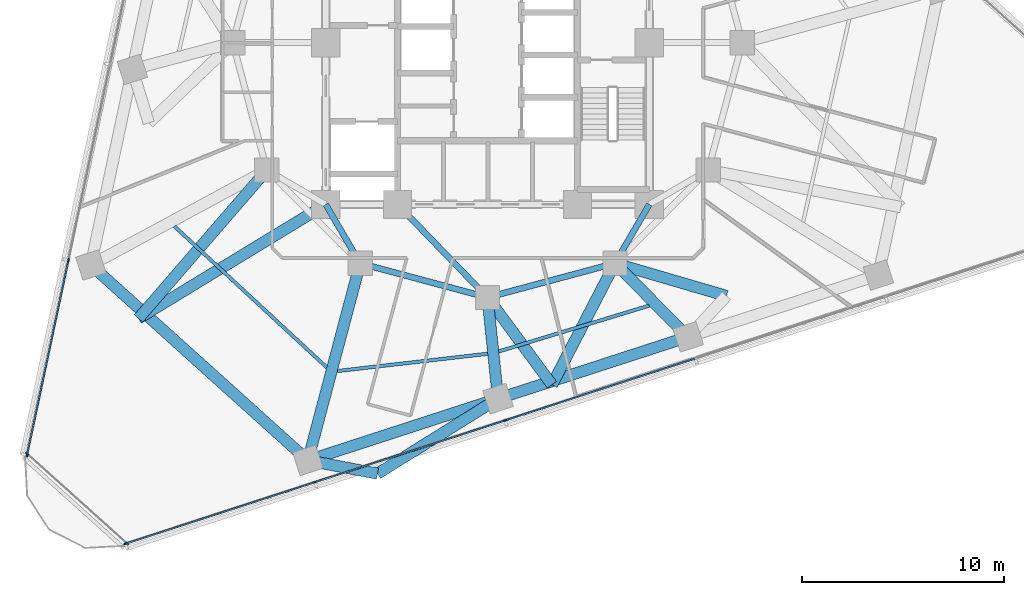
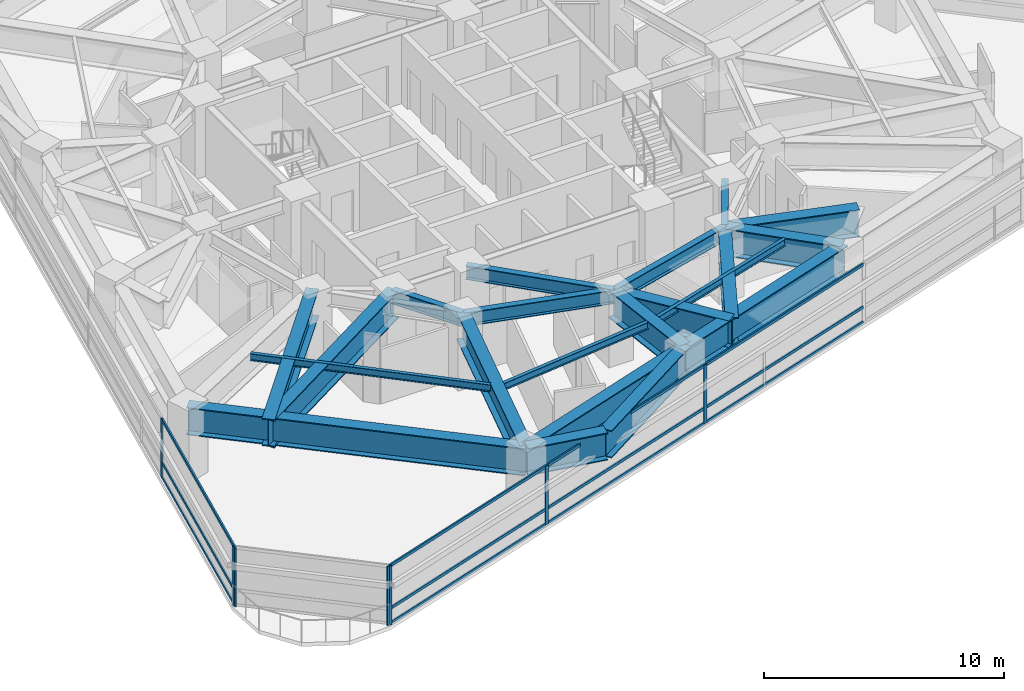
# One storey, part 2 of 14: 21 beams, 19 members, 3 elements without a shape of their own.
"""IFC4 building model written with IfcOpenShell, lengths in metres."""

from ifc_helpers import new_model, si_unit, direction, frame, origin, origin_2d, place, context, subcontext, project, spatial, rectangle, i_section, extrude, material, layer, layer_set, material_profile, profile_set, type_object, element, aggregate, save


model = new_model("IFC4")

# Units and contexts
model_context = context("Model", 3, precision=1e-05, world=origin(), true_north=direction((0.0, 1.0)))
body_context = subcontext(model_context, "Body", "Model", "MODEL_VIEW")
ifc_project = project(units=[si_unit("LENGTHUNIT", "METRE"), si_unit("AREAUNIT", "SQUARE_METRE"), si_unit("VOLUMEUNIT", "CUBIC_METRE"), si_unit("PLANEANGLEUNIT", "RADIAN"), si_unit("MASSUNIT", "GRAM", prefix="KILO")], contexts=[model_context])

# Site, building, storey
site_placement = place(None, origin())
site = spatial("IfcSite", under=ifc_project, at=site_placement, CompositionType="ELEMENT")
building_placement = place(site_placement, origin())
building = spatial("IfcBuilding", under=site, at=building_placement, Name="Terralouvre Media Tower", CompositionType="ELEMENT")
storey_placement = place(building_placement, frame((0.0, 0.0, 116.199951171875)))
storey = spatial("IfcBuildingStorey", under=building, at=storey_placement, Name="L29", CompositionType="ELEMENT", Elevation=116.199951171875)

# Beams
ifc_material_1 = material(Name="Structural steel S355J2", Category="steel")
ifc_material_profile_1 = material_profile(ifc_material_1, i_section(OverallWidth=0.169921875, OverallDepth=0.360107421875, WebThickness=0.008056640625, FlangeThickness=0.0126953125, at=origin_2d()), Name="IPE 360")
ifc_profile_set_1 = profile_set([ifc_material_profile_1], Name="Structural steel S355J2")
beam_type_1 = type_object("IfcBeamType", Name="Composite Floor Joist J-IPE360 (IPE 360)", PredefinedType="JOIST", material=ifc_profile_set_1)
beam_1_placement = place(storey_placement, frame((-15.48388671875, -9.081298828125, 3.320068359375), z_axis=(0.7336263107, -0.679553115104, 0.0), x_axis=(0.679553115104, 0.7336263107, 0.0)))
element("IfcBeam", 1, at=beam_1_placement, inside=storey, type_object=beam_type_1, Name="L29 Framing Beam JT-L29-02", PredefinedType="JOIST", context=body_context, shape_type="SweptSolid", body=[
    extrude(i_section(OverallWidth=0.169921875, OverallDepth=0.360107421875, WebThickness=0.008056640625, FlangeThickness=0.0126953125, at=origin_2d()), origin(), (0.0, 0.0, 1.0), 10.26708984375),
])
beam_2_placement = place(storey_placement, frame((-7.423828125, -16.23828125, 3.320068359375), z_axis=(0.993451447392, 0.114255072866, 0.0), x_axis=(-0.114255072866, 0.993451447392, 0.0)))
element("IfcBeam", 2, at=beam_2_placement, inside=storey, type_object=beam_type_1, Name="L29 Framing Beam JT-L29-03", PredefinedType="JOIST", context=body_context, shape_type="SweptSolid", body=[
    extrude(i_section(OverallWidth=0.169921875, OverallDepth=0.360107421875, WebThickness=0.008056640625, FlangeThickness=0.0126953125, at=origin_2d()), origin(), (0.0, 0.0, 1.0), 7.483154296875),
])
beam_3_placement = place(storey_placement, frame((0.5576171875, -15.268798828125, 3.320068359375), z_axis=(0.956571489727, 0.291497830252, 0.0), x_axis=(-0.291497830252, 0.956571489727, 0.0)))
element("IfcBeam", 3, at=beam_3_placement, inside=storey, type_object=beam_type_1, Name="L29 Framing Beam JT-L29-04", PredefinedType="JOIST", context=body_context, shape_type="SweptSolid", body=[
    extrude(i_section(OverallWidth=0.169921875, OverallDepth=0.360107421875, WebThickness=0.008056640625, FlangeThickness=0.0126953125, at=origin_2d()), origin(), (0.0, 0.0, 1.0), 7.7724609375),
])

# Curtain wall, members
ifc_material_2 = material(Name="Low-iron laminated double glazing with solar-control coating", Category="glass")
ifc_layer_1 = layer(ifc_material_2, 0.1650390625, Name="Lower Media Tower Unitised Curtain Wall CW-02")
ifc_layer_set_1 = layer_set([ifc_layer_1], Name="Low-iron laminated double glazing with solar-control coating")
curtain_wall_type_1 = type_object("IfcCurtainWallType", Name="Lower Media Tower Unitised Curtain Wall CW-02", PredefinedType="NOTDEFINED", material=ifc_layer_set_1)
curtain_wall_1_placement = place(storey_placement, origin())
curtain_wall_1 = element("IfcCurtainWall", 4, at=curtain_wall_1_placement, inside=storey, type_object=curtain_wall_type_1, Name="L29 Facade Curtain Wall F0", PredefinedType="NOTDEFINED")
ifc_material_3 = material(Name="Anodised extruded aluminium 6063-T6", Category="aluminium")
ifc_material_profile_2 = material_profile(ifc_material_3, rectangle(XDim=0.074951171875, YDim=0.14990234375, at=origin_2d()), Name="ALU 75x150")
ifc_profile_set_2 = profile_set([ifc_material_profile_2], Name="Anodised extruded aluminium 6063-T6")
member_type_1 = type_object("IfcMemberType", Name="Curtain-Wall Horizontal Transom TR-150", PredefinedType="USERDEFINED", material=ifc_profile_set_2)
member_1_placement = place(storey_placement, frame((-17.866455078125, -24.765380859375, 0.03759765625), z_axis=(0.951048750541, 0.309040893886, 0.0), x_axis=(-0.309040893886, 0.951048750541, 0.0)))
member_1 = element("IfcMember", 5, at=member_1_placement, type_object=member_type_1, Name="CW-02 transom 1.1", ObjectType="TRANSOM", PredefinedType="USERDEFINED", context=body_context, shape_type="SweptSolid", body=[
    extrude(rectangle(XDim=0.074951171875, YDim=0.14990234375, at=origin_2d()), origin(), (0.0, 0.0, 1.0), 9.775390625),
])
member_2_placement = place(storey_placement, frame((-17.866455078125, -24.765380859375, 0.800048828125), z_axis=(0.951048750541, 0.309040893886, 0.0), x_axis=(-0.309040893886, 0.951048750541, 0.0)))
member_2 = element("IfcMember", 6, at=member_2_placement, type_object=member_type_1, Name="CW-02 transom 1.2", ObjectType="TRANSOM", PredefinedType="USERDEFINED", context=body_context, shape_type="SweptSolid", body=[
    extrude(rectangle(XDim=0.074951171875, YDim=0.14990234375, at=origin_2d()), origin(), (0.0, 0.0, 1.0), 9.775390625),
])
member_3_placement = place(storey_placement, frame((-17.866455078125, -24.765380859375, 2.962646484375), z_axis=(0.951048750541, 0.309040893886, 0.0), x_axis=(-0.309040893886, 0.951048750541, 0.0)))
member_3 = element("IfcMember", 7, at=member_3_placement, type_object=member_type_1, Name="CW-02 transom 1.3", ObjectType="TRANSOM", PredefinedType="USERDEFINED", context=body_context, shape_type="SweptSolid", body=[
    extrude(rectangle(XDim=0.074951171875, YDim=0.14990234375, at=origin_2d()), origin(), (0.0, 0.0, 1.0), 9.775390625),
])
member_4_placement = place(storey_placement, frame((-8.498291015625, -21.72119140625, 0.03759765625), z_axis=(0.951061672682, 0.309001124198, 0.0), x_axis=(-0.309001124198, 0.951061672682, 0.0)))
member_4 = element("IfcMember", 8, at=member_4_placement, type_object=member_type_1, Name="CW-02 transom 2.1", ObjectType="TRANSOM", PredefinedType="USERDEFINED", context=body_context, shape_type="SweptSolid", body=[
    extrude(rectangle(XDim=0.074951171875, YDim=0.14990234375, at=origin_2d()), origin(), (0.0, 0.0, 1.0), 9.81298828125),
])
member_5_placement = place(storey_placement, frame((-8.498291015625, -21.72119140625, 0.800048828125), z_axis=(0.951061672682, 0.309001124198, 0.0), x_axis=(-0.309001124198, 0.951061672682, 0.0)))
member_5 = element("IfcMember", 9, at=member_5_placement, type_object=member_type_1, Name="CW-02 transom 2.2", ObjectType="TRANSOM", PredefinedType="USERDEFINED", context=body_context, shape_type="SweptSolid", body=[
    extrude(rectangle(XDim=0.074951171875, YDim=0.14990234375, at=origin_2d()), origin(), (0.0, 0.0, 1.0), 9.81298828125),
])
member_6_placement = place(storey_placement, frame((-8.498291015625, -21.72119140625, 2.962646484375), z_axis=(0.951061672682, 0.309001124198, 0.0), x_axis=(-0.309001124198, 0.951061672682, 0.0)))
member_6 = element("IfcMember", 10, at=member_6_placement, type_object=member_type_1, Name="CW-02 transom 2.3", ObjectType="TRANSOM", PredefinedType="USERDEFINED", context=body_context, shape_type="SweptSolid", body=[
    extrude(rectangle(XDim=0.074951171875, YDim=0.14990234375, at=origin_2d()), origin(), (0.0, 0.0, 1.0), 9.81298828125),
])
member_7_placement = place(storey_placement, frame((0.90576171875, -18.665771484375, 0.03759765625), z_axis=(0.95105436096, 0.309023627736, 0.0), x_axis=(-0.309023627736, 0.95105436096, 0.0)))
member_7 = element("IfcMember", 11, at=member_7_placement, type_object=member_type_1, Name="CW-02 transom 3.1", ObjectType="TRANSOM", PredefinedType="USERDEFINED", context=body_context, shape_type="SweptSolid", body=[
    extrude(rectangle(XDim=0.074951171875, YDim=0.14990234375, at=origin_2d()), origin(), (0.0, 0.0, 1.0), 9.81298828125),
])
member_8_placement = place(storey_placement, frame((0.90576171875, -18.665771484375, 0.800048828125), z_axis=(0.95105436096, 0.309023627736, 0.0), x_axis=(-0.309023627736, 0.95105436096, 0.0)))
member_8 = element("IfcMember", 12, at=member_8_placement, type_object=member_type_1, Name="CW-02 transom 3.2", ObjectType="TRANSOM", PredefinedType="USERDEFINED", context=body_context, shape_type="SweptSolid", body=[
    extrude(rectangle(XDim=0.074951171875, YDim=0.14990234375, at=origin_2d()), origin(), (0.0, 0.0, 1.0), 9.81298828125),
])
member_9_placement = place(storey_placement, frame((0.90576171875, -18.665771484375, 2.962646484375), z_axis=(0.95105436096, 0.309023627736, 0.0), x_axis=(-0.309023627736, 0.95105436096, 0.0)))
member_9 = element("IfcMember", 13, at=member_9_placement, type_object=member_type_1, Name="CW-02 transom 3.3", ObjectType="TRANSOM", PredefinedType="USERDEFINED", context=body_context, shape_type="SweptSolid", body=[
    extrude(rectangle(XDim=0.074951171875, YDim=0.14990234375, at=origin_2d()), origin(), (0.0, 0.0, 1.0), 9.81298828125),
])

curtain_wall_2_placement = place(storey_placement, origin())
curtain_wall_2 = element("IfcCurtainWall", 14, at=curtain_wall_2_placement, inside=storey, type_object=curtain_wall_type_1, Name="L29 Facade Curtain Wall F2", PredefinedType="NOTDEFINED")
member_10_placement = place(storey_placement, frame((-20.7294921875, -10.79541015625, 0.03759765625), z_axis=(-0.207911922732, -0.978147551439, 0.0), x_axis=(0.978147551439, -0.207911922732, 0.0)))
member_10 = element("IfcMember", 15, at=member_10_placement, type_object=member_type_1, Name="CW-02 transom 5.1", ObjectType="TRANSOM", PredefinedType="USERDEFINED", context=body_context, shape_type="SweptSolid", body=[
    extrude(rectangle(XDim=0.074951171875, YDim=0.14990234375, at=origin_2d()), origin(), (0.0, 0.0, 1.0), 9.775634765625),
])
member_11_placement = place(storey_placement, frame((-20.7294921875, -10.79541015625, 0.800048828125), z_axis=(-0.207911922732, -0.978147551439, 0.0), x_axis=(0.978147551439, -0.207911922732, 0.0)))
member_11 = element("IfcMember", 16, at=member_11_placement, type_object=member_type_1, Name="CW-02 transom 5.2", ObjectType="TRANSOM", PredefinedType="USERDEFINED", context=body_context, shape_type="SweptSolid", body=[
    extrude(rectangle(XDim=0.074951171875, YDim=0.14990234375, at=origin_2d()), origin(), (0.0, 0.0, 1.0), 9.775634765625),
])
member_12_placement = place(storey_placement, frame((-20.7294921875, -10.79541015625, 2.962646484375), z_axis=(-0.207911922732, -0.978147551439, 0.0), x_axis=(0.978147551439, -0.207911922732, 0.0)))
member_12 = element("IfcMember", 17, at=member_12_placement, type_object=member_type_1, Name="CW-02 transom 5.3", ObjectType="TRANSOM", PredefinedType="USERDEFINED", context=body_context, shape_type="SweptSolid", body=[
    extrude(rectangle(XDim=0.074951171875, YDim=0.14990234375, at=origin_2d()), origin(), (0.0, 0.0, 1.0), 9.775634765625),
])

# Member
ifc_material_4 = material(Name="Anodised extruded aluminium 6063-T6", Category="aluminium")
ifc_material_profile_3 = material_profile(ifc_material_4, rectangle(XDim=0.074951171875, YDim=0.179931640625, at=origin_2d()), Name="ALU 75x180")
ifc_profile_set_3 = profile_set([ifc_material_profile_3], Name="Anodised extruded aluminium 6063-T6")
member_type_2 = type_object("IfcMemberType", Name="Curtain-Wall Vertical Mullion ML-180", PredefinedType="MULLION", material=ifc_profile_set_3)
member_13_placement = place(storey_placement, frame((-17.90234375, -24.77685546875, 0.0), z_axis=(0.0, 0.0, 1.0), x_axis=(-0.309017015439, 0.951056509451, 0.0)))
member_13 = element("IfcMember", 18, at=member_13_placement, type_object=member_type_2, Name="CW-02 mullion 1", PredefinedType="MULLION", context=body_context, shape_type="SweptSolid", body=[
    extrude(rectangle(XDim=0.074951171875, YDim=0.179931640625, at=origin_2d()), origin(), (0.0, 0.0, 1.0), 3.0),
])

member_14_placement = place(storey_placement, frame((-8.533935546875, -21.73291015625, 0.0), z_axis=(0.0, 0.0, 1.0), x_axis=(-0.309017015439, 0.951056509451, 0.0)))
member_14 = element("IfcMember", 19, at=member_14_placement, type_object=member_type_2, Name="CW-02 mullion 2", PredefinedType="MULLION", context=body_context, shape_type="SweptSolid", body=[
    extrude(rectangle(XDim=0.074951171875, YDim=0.179931640625, at=origin_2d()), origin(), (0.0, 0.0, 1.0), 3.0),
])

member_15_placement = place(storey_placement, frame((0.8701171875, -18.67724609375, 0.0), z_axis=(0.0, 0.0, 1.0), x_axis=(-0.309017015439, 0.951056509451, 0.0)))
member_15 = element("IfcMember", 20, at=member_15_placement, type_object=member_type_2, Name="CW-02 mullion 3", PredefinedType="MULLION", context=body_context, shape_type="SweptSolid", body=[
    extrude(rectangle(XDim=0.074951171875, YDim=0.179931640625, at=origin_2d()), origin(), (0.0, 0.0, 1.0), 3.0),
])

aggregate(curtain_wall_1, [member_13, member_14, member_15, member_1, member_2, member_3, member_4, member_5, member_6, member_7, member_8, member_9])

member_16_placement = place(storey_placement, frame((-20.7216796875, -10.7587890625, 0.0), z_axis=(0.0, 0.0, 1.0), x_axis=(0.978147610709, -0.207911643887, 0.0)))
member_16 = element("IfcMember", 21, at=member_16_placement, type_object=member_type_2, Name="CW-02 mullion 5", PredefinedType="MULLION", context=body_context, shape_type="SweptSolid", body=[
    extrude(rectangle(XDim=0.074951171875, YDim=0.179931640625, at=origin_2d()), origin(), (0.0, 0.0, 1.0), 3.0),
])

member_17_placement = place(storey_placement, frame((-22.769775390625, -20.39404296875, 0.0), z_axis=(0.0, 0.0, 1.0), x_axis=(0.978147610709, -0.207911643887, 0.0)))
member_17 = element("IfcMember", 22, at=member_17_placement, type_object=member_type_2, Name="CW-02 mullion 6", PredefinedType="MULLION", context=body_context, shape_type="SweptSolid", body=[
    extrude(rectangle(XDim=0.074951171875, YDim=0.179931640625, at=origin_2d()), origin(), (0.0, 0.0, 1.0), 3.0),
])

aggregate(curtain_wall_2, [member_16, member_17, member_10, member_11, member_12])

# Curtain wall, members
ifc_material_5 = material(Name="Low-iron laminated double glazing with solar-control coating", Category="glass")
ifc_layer_2 = layer(ifc_material_5, 0.1650390625, Name="Rounded Wind-Corner Curved Glazing CW-04")
ifc_layer_set_2 = layer_set([ifc_layer_2], Name="Low-iron laminated double glazing with solar-control coating")
curtain_wall_type_2 = type_object("IfcCurtainWallType", Name="Rounded Wind-Corner Curved Glazing CW-04", PredefinedType="NOTDEFINED", material=ifc_layer_set_2)
curtain_wall_3_placement = place(storey_placement, origin())
curtain_wall_3 = element("IfcCurtainWall", 23, at=curtain_wall_3_placement, inside=storey, type_object=curtain_wall_type_2, Name="L29 Rounded Wind-Corner Curtain Wall C0", PredefinedType="NOTDEFINED")
member_18_placement = place(storey_placement, frame((-22.7734375, -20.326904296875, 0.0), z_axis=(0.0, 0.0, 1.0), x_axis=(0.669130780732, 0.743144668471, 0.0)))
member_18 = element("IfcMember", 24, at=member_18_placement, type_object=member_type_2, Name="CW-04 mullion 1", PredefinedType="MULLION", context=body_context, shape_type="SweptSolid", body=[
    extrude(rectangle(XDim=0.074951171875, YDim=0.179931640625, at=origin_2d()), origin(), (0.0, 0.0, 1.0), 3.0),
])
member_19_placement = place(storey_placement, frame((-17.8349609375, -24.7734375, 0.0), z_axis=(0.0, 0.0, 1.0), x_axis=(0.669130780732, 0.743144668471, 0.0)))
member_19 = element("IfcMember", 25, at=member_19_placement, type_object=member_type_2, Name="CW-04 mullion 2", PredefinedType="MULLION", context=body_context, shape_type="SweptSolid", body=[
    extrude(rectangle(XDim=0.074951171875, YDim=0.179931640625, at=origin_2d()), origin(), (0.0, 0.0, 1.0), 3.0),
])
aggregate(curtain_wall_3, [member_18, member_19])

# Beams
ifc_material_6 = material(Name="Structural steel S460M", Category="steel")
ifc_material_profile_4 = material_profile(ifc_material_6, i_section(OverallWidth=0.300048828125, OverallDepth=0.699951171875, WebThickness=0.01708984375, FlangeThickness=0.031982421875, at=origin_2d()), Name="HEB 700")
ifc_profile_set_4 = profile_set([ifc_material_profile_4], Name="Structural steel S460M")
beam_type_2 = type_object("IfcBeamType", Name="Primary Floor Girder B-HEB700 (HEB 700)", PredefinedType="BEAM", material=ifc_profile_set_4)
for number, where, z_axis, x_axis, name in (
    (26, (-6.300048828125, -10.911865234375, 3.150146484375), (0.965920481897, -0.258838989821, 0.0), (0.258838989821, 0.965920481897, 0.0), "L29 Framing Beam BM-L29-MR02"),
    (27, (0.0, -12.60009765625, 3.150146484375), (0.965920481897, 0.258838989821, 0.0), (-0.258838989821, 0.965920481897, 0.0), "L29 Framing Beam BM-L29-MR03"),
):
    element("IfcBeam", number, at=place(storey_placement, frame(where, z_axis=z_axis, x_axis=x_axis)), inside=storey, type_object=beam_type_2, Name=name, PredefinedType="BEAM", context=body_context, shape_type="SweptSolid", body=[
        extrude(i_section(OverallWidth=0.300048828125, OverallDepth=0.699951171875, WebThickness=0.01708984375, FlangeThickness=0.031982421875, at=origin_2d()), origin(), (0.0, 0.0, 1.0), 6.522216796875),
    ])
beam_4_placement = place(storey_placement, frame((-8.0, -8.0, 3.150146484375), z_axis=(0.504172629717, -0.863602894532, 0.0), x_axis=(0.863602894532, 0.504172629717, 0.0)))
element("IfcBeam", 28, at=beam_4_placement, inside=storey, type_object=beam_type_2, Name="L29 Framing Beam BM-L29-CM02", PredefinedType="BEAM", context=body_context, shape_type="SweptSolid", body=[
    extrude(i_section(OverallWidth=0.300048828125, OverallDepth=0.699951171875, WebThickness=0.01708984375, FlangeThickness=0.031982421875, at=origin_2d()), origin(), (0.0, 0.0, 1.0), 3.371826171875),
])
beam_5_placement = place(storey_placement, frame((-4.449951171875, -8.0, 3.150146484375), z_axis=(0.695279715726, -0.718739255155, 0.0), x_axis=(0.718739255155, 0.695279715726, 0.0)))
element("IfcBeam", 29, at=beam_5_placement, inside=storey, type_object=beam_type_2, Name="L29 Framing Beam BM-L29-CM03", PredefinedType="BEAM", context=body_context, shape_type="SweptSolid", body=[
    extrude(i_section(OverallWidth=0.300048828125, OverallDepth=0.699951171875, WebThickness=0.01708984375, FlangeThickness=0.031982421875, at=origin_2d()), origin(), (0.0, 0.0, 1.0), 6.400146484375),
])
beam_6_placement = place(storey_placement, frame((8.0, -8.0, 3.150146484375), z_axis=(-0.504172629717, -0.863602894532, 0.0), x_axis=(0.863602894532, -0.504172629717, 0.0)))
element("IfcBeam", 30, at=beam_6_placement, inside=storey, type_object=beam_type_2, Name="L29 Framing Beam BM-L29-CM04", PredefinedType="BEAM", context=body_context, shape_type="SweptSolid", body=[
    extrude(i_section(OverallWidth=0.300048828125, OverallDepth=0.699951171875, WebThickness=0.01708984375, FlangeThickness=0.031982421875, at=origin_2d()), origin(), (0.0, 0.0, 1.0), 3.371826171875),
])
ifc_material_7 = material(Name="Structural steel S460M", Category="steel")
ifc_material_profile_5 = material_profile(ifc_material_7, i_section(OverallWidth=0.56005859375, OverallDepth=1.39990234375, WebThickness=0.031982421875, FlangeThickness=0.050048828125, at=origin_2d()), Name="TG 1400x560")
ifc_profile_set_5 = profile_set([ifc_material_profile_5], Name="Structural steel S460M")
beam_type_3 = type_object("IfcBeamType", Name="Welded Transfer Girder TG-1400 (TG 1400x560)", PredefinedType="USERDEFINED", material=ifc_profile_set_5)
beam_7_placement = place(storey_placement, frame((-19.616455078125, -10.99365234375, 2.800048828125), z_axis=(0.743139474617, -0.669136549044, 0.0), x_axis=(0.669136549044, 0.743139474617, 0.0)))
element("IfcBeam", 31, at=beam_7_placement, inside=storey, type_object=beam_type_3, Name="L29 Framing Beam BM-L29-PR02", ObjectType="TRANSFER GIRDER", PredefinedType="USERDEFINED", context=body_context, shape_type="SweptSolid", body=[
    extrude(i_section(OverallWidth=0.56005859375, OverallDepth=1.39990234375, WebThickness=0.031982421875, FlangeThickness=0.050048828125, at=origin_2d()), origin(), (0.0, 0.0, 1.0), 14.443359375),
])
for number, where, z_axis, x_axis, name in (
    (32, (-8.883056640625, -20.658203125, 2.800048828125), (0.95105348149, 0.309026334389, 0.0), (-0.309026334389, 0.95105348149, 0.0), "L29 Framing Beam BM-L29-PR03"),
    (33, (0.52099609375, -17.6025390625, 2.800048828125), (0.951060737836, 0.309004001506, 0.0), (-0.309004001506, 0.951060737836, 0.0), "L29 Framing Beam BM-L29-PR04"),
):
    element("IfcBeam", number, at=place(storey_placement, frame(where, z_axis=z_axis, x_axis=x_axis)), inside=storey, type_object=beam_type_3, Name=name, ObjectType="TRANSFER GIRDER", PredefinedType="USERDEFINED", context=body_context, shape_type="SweptSolid", body=[
        extrude(i_section(OverallWidth=0.56005859375, OverallDepth=1.39990234375, WebThickness=0.031982421875, FlangeThickness=0.050048828125, at=origin_2d()), origin(), (0.0, 0.0, 1.0), 9.887939453125),
    ])
beam_8_placement = place(storey_placement, frame((-6.300048828125, -10.911865234375, 2.800048828125), z_axis=(-0.25617939255, -0.966629256144, 0.0), x_axis=(0.966629256144, -0.25617939255, 0.0)))
element("IfcBeam", 34, at=beam_8_placement, inside=storey, type_object=beam_type_3, Name="L29 Framing Beam BM-L29-RD03", ObjectType="TRANSFER GIRDER", PredefinedType="USERDEFINED", context=body_context, shape_type="SweptSolid", body=[
    extrude(i_section(OverallWidth=0.56005859375, OverallDepth=1.39990234375, WebThickness=0.031982421875, FlangeThickness=0.050048828125, at=origin_2d()), origin(), (0.0, 0.0, 1.0), 10.082763671875),
])
beam_9_placement = place(storey_placement, frame((0.0, -12.60009765625, 2.800048828125), z_axis=(0.103588076486, -0.994620284536, 0.0), x_axis=(0.994620284536, 0.103588076486, 0.0)))
element("IfcBeam", 35, at=beam_9_placement, inside=storey, type_object=beam_type_3, Name="L29 Framing Beam BM-L29-RD04", ObjectType="TRANSFER GIRDER", PredefinedType="USERDEFINED", context=body_context, shape_type="SweptSolid", body=[
    extrude(i_section(OverallWidth=0.56005859375, OverallDepth=1.39990234375, WebThickness=0.031982421875, FlangeThickness=0.050048828125, at=origin_2d()), origin(), (0.0, 0.0, 1.0), 5.029541015625),
])
beam_10_placement = place(storey_placement, frame((6.300048828125, -10.911865234375, 2.800048828125), z_axis=(0.706107405732, -0.708104746185, 0.0), x_axis=(0.708104746185, 0.706107405732, 0.0)))
element("IfcBeam", 36, at=beam_10_placement, inside=storey, type_object=beam_type_3, Name="L29 Framing Beam BM-L29-RD05", ObjectType="TRANSFER GIRDER", PredefinedType="USERDEFINED", context=body_context, shape_type="SweptSolid", body=[
    extrude(i_section(OverallWidth=0.56005859375, OverallDepth=1.39990234375, WebThickness=0.031982421875, FlangeThickness=0.050048828125, at=origin_2d()), origin(), (0.0, 0.0, 1.0), 5.1337890625),
])
beam_11_placement = place(storey_placement, frame((-5.4365234375, -21.31298828125, 2.800048828125), z_axis=(-0.982427386781, 0.186645197375, 0.0), x_axis=(-0.186645197375, -0.982427386781, 0.0)))
element("IfcBeam", 37, at=beam_11_placement, inside=storey, type_object=beam_type_3, Name="L29 Framing Beam BM-L29-TR01S1", ObjectType="TRANSFER GIRDER", PredefinedType="USERDEFINED", context=body_context, shape_type="SweptSolid", body=[
    extrude(i_section(OverallWidth=0.56005859375, OverallDepth=1.39990234375, WebThickness=0.031982421875, FlangeThickness=0.050048828125, at=origin_2d()), origin(), (0.0, 0.0, 1.0), 3.50830078125),
])
beam_12_placement = place(storey_placement, frame((-5.4365234375, -21.31298828125, 2.800048828125), z_axis=(0.848829758891, 0.528666284551, 0.0), x_axis=(-0.528666284551, 0.848829758891, 0.0)))
element("IfcBeam", 38, at=beam_12_placement, inside=storey, type_object=beam_type_3, Name="L29 Framing Beam BM-L29-TR01S2", ObjectType="TRANSFER GIRDER", PredefinedType="USERDEFINED", context=body_context, shape_type="SweptSolid", body=[
    extrude(i_section(OverallWidth=0.56005859375, OverallDepth=1.39990234375, WebThickness=0.031982421875, FlangeThickness=0.050048828125, at=origin_2d()), origin(), (0.0, 0.0, 1.0), 7.0185546875),
])
beam_13_placement = place(storey_placement, frame((3.188232421875, -16.91845703125, 2.800048828125), z_axis=(-0.593957444229, 0.804496460182, 0.0), x_axis=(-0.804496460182, -0.593957444229, 0.0)))
element("IfcBeam", 39, at=beam_13_placement, inside=storey, type_object=beam_type_3, Name="L29 Framing Beam BM-L29-TR02S1", ObjectType="TRANSFER GIRDER", PredefinedType="USERDEFINED", context=body_context, shape_type="SweptSolid", body=[
    extrude(i_section(OverallWidth=0.56005859375, OverallDepth=1.39990234375, WebThickness=0.031982421875, FlangeThickness=0.050048828125, at=origin_2d()), origin(), (0.0, 0.0, 1.0), 5.36767578125),
])
beam_14_placement = place(storey_placement, frame((3.188232421875, -16.91845703125, 2.800048828125), z_axis=(0.460001105334, 0.887918342581, 0.0), x_axis=(-0.887918342581, 0.460001105334, 0.0)))
element("IfcBeam", 40, at=beam_14_placement, inside=storey, type_object=beam_type_3, Name="L29 Framing Beam BM-L29-TR02S2", ObjectType="TRANSFER GIRDER", PredefinedType="USERDEFINED", context=body_context, shape_type="SweptSolid", body=[
    extrude(i_section(OverallWidth=0.56005859375, OverallDepth=1.39990234375, WebThickness=0.031982421875, FlangeThickness=0.050048828125, at=origin_2d()), origin(), (0.0, 0.0, 1.0), 6.764892578125),
])
beam_15_placement = place(storey_placement, frame((11.813232421875, -12.523681640625, 2.800048828125), z_axis=(-0.959821765834, 0.280610366577, 0.0), x_axis=(-0.280610366577, -0.959821765834, 0.0)))
element("IfcBeam", 41, at=beam_15_placement, inside=storey, type_object=beam_type_3, Name="L29 Framing Beam BM-L29-TR03S2", ObjectType="TRANSFER GIRDER", PredefinedType="USERDEFINED", context=body_context, shape_type="SweptSolid", body=[
    extrude(i_section(OverallWidth=0.56005859375, OverallDepth=1.39990234375, WebThickness=0.031982421875, FlangeThickness=0.050048828125, at=origin_2d()), origin(), (0.0, 0.0, 1.0), 5.743896484375),
])
beam_16_placement = place(storey_placement, frame((-17.259033203125, -13.635498046875, 2.800048828125), z_axis=(0.654328588351, 0.756210353319, 0.0), x_axis=(-0.756210353319, 0.654328588351, 0.0)))
element("IfcBeam", 42, at=beam_16_placement, inside=storey, type_object=beam_type_3, Name="L29 Framing Beam BM-L29-TR12S1", ObjectType="TRANSFER GIRDER", PredefinedType="USERDEFINED", context=body_context, shape_type="SweptSolid", body=[
    extrude(i_section(OverallWidth=0.56005859375, OverallDepth=1.39990234375, WebThickness=0.031982421875, FlangeThickness=0.050048828125, at=origin_2d()), origin(), (0.0, 0.0, 1.0), 9.7001953125),
])
beam_17_placement = place(storey_placement, frame((-17.259033203125, -13.635498046875, 2.800048828125), z_axis=(0.854216387775, 0.519917650073, 0.0), x_axis=(-0.519917650073, 0.854216387775, 0.0)))
element("IfcBeam", 43, at=beam_17_placement, inside=storey, type_object=beam_type_3, Name="L29 Framing Beam BM-L29-TR12S2", ObjectType="TRANSFER GIRDER", PredefinedType="USERDEFINED", context=body_context, shape_type="SweptSolid", body=[
    extrude(i_section(OverallWidth=0.56005859375, OverallDepth=1.39990234375, WebThickness=0.031982421875, FlangeThickness=0.050048828125, at=origin_2d()), origin(), (0.0, 0.0, 1.0), 10.839111328125),
])

save(model, "model.ifc")
